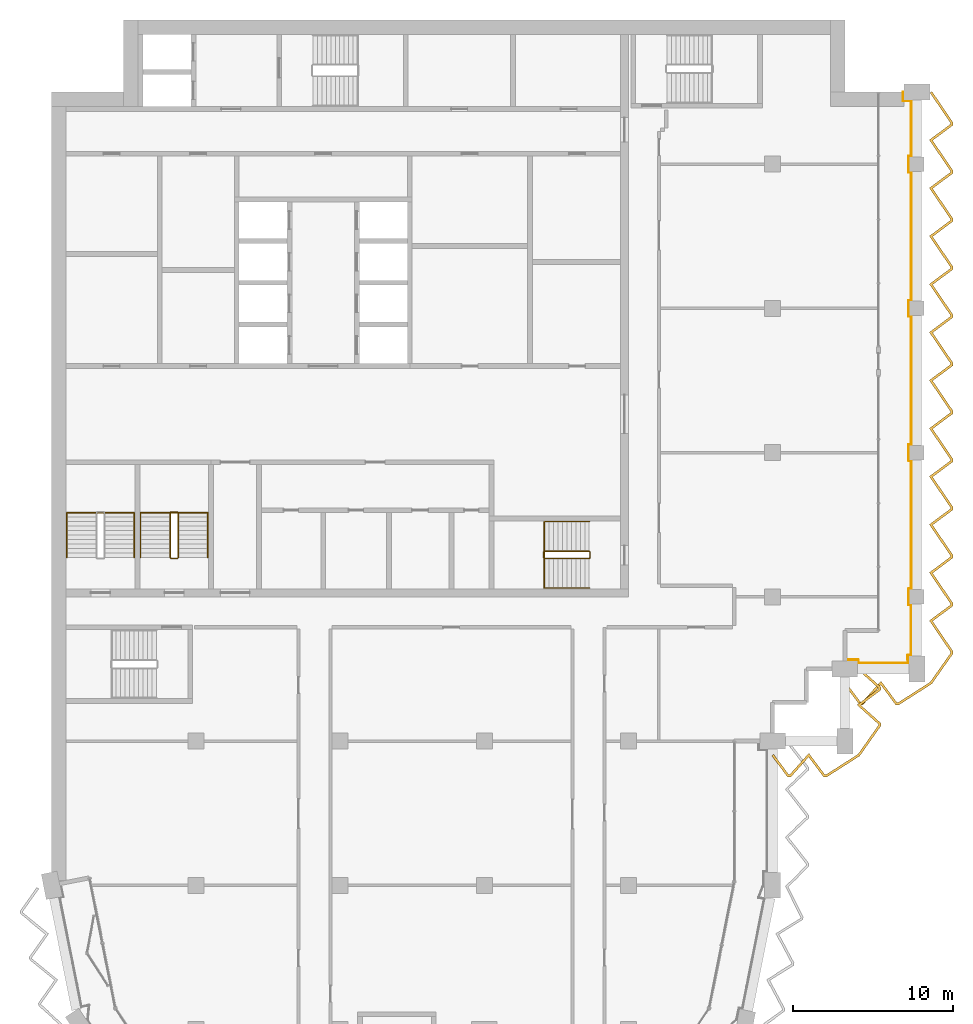
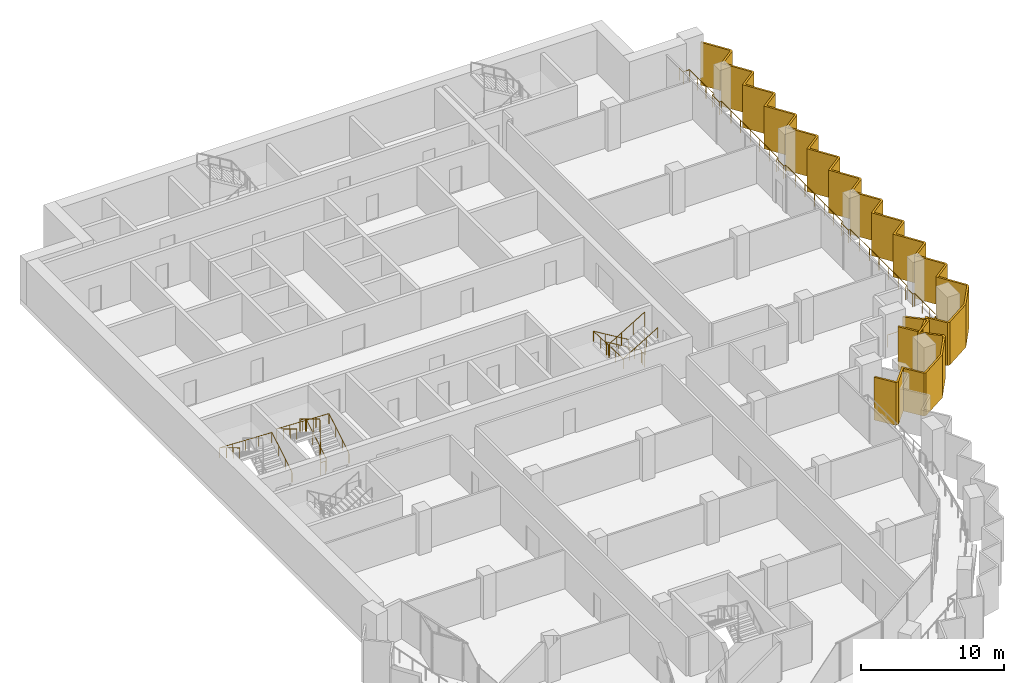
# One storey, part 16 of 17: 6 railings, 2 shading devices.
"""IFC4 building model written with IfcOpenShell, lengths in metres."""

from ifc_helpers import new_model, si_unit, direction, frame, origin, origin_2d, place, context, subcontext, project, spatial, polyline, circle, outline, extrude, material, layer, layer_set, type_object, element, save


model = new_model("IFC4")

# Units and contexts
model_context = context("Model", 3, precision=1e-05, world=origin(), true_north=direction((0.0, 1.0)))
body_context = subcontext(model_context, "Body", "Model", "MODEL_VIEW")
ifc_project = project(units=[si_unit("LENGTHUNIT", "METRE"), si_unit("AREAUNIT", "SQUARE_METRE"), si_unit("VOLUMEUNIT", "CUBIC_METRE"), si_unit("PLANEANGLEUNIT", "RADIAN"), si_unit("MASSUNIT", "GRAM", prefix="KILO")], contexts=[model_context])

# Site, building, storey
site_placement = place(None, origin())
site = spatial("IfcSite", under=ifc_project, at=site_placement, CompositionType="ELEMENT")
building_placement = place(site_placement, origin())
building = spatial("IfcBuilding", under=site, at=building_placement, Name="Hunhe Ridgeline Campus", CompositionType="ELEMENT")
storey_placement = place(building_placement, frame((0.0, 0.0, 265.10009765625)))
storey = spatial("IfcBuildingStorey", under=building, at=storey_placement, Name="L68", CompositionType="ELEMENT", Elevation=265.10009765625)

# Railing
ifc_material_1 = material(Name="Steel Q355", Category="steel")
railing_type_1 = type_object("IfcRailingType", Name="Loggia guard 1100 Steel Q355", PredefinedType="GUARDRAIL", material=ifc_material_1)
railing_1_placement = place(storey_placement, frame((49.5, 59.070068359375, 0.0)))
element("IfcRailing", 1, at=railing_1_placement, inside=storey, type_object=railing_type_1, Name="Loggia guard 2", PredefinedType="GUARDRAIL", context=body_context, shape_type="SweptSolid", body=[
    extrude(circle(Radius=0.02392578125, at=origin_2d()), frame((0.0, 0.0, 1.076171875), z_axis=(1.0, 0.0, 0.0), x_axis=(0.0, 1.0, 0.0)), (0.0, 0.0, 1.0), 0.85009765625),
    extrude(circle(Radius=0.02392578125, at=origin_2d()), frame((0.85009765625, 0.0, 1.076171875), z_axis=(0.0, -1.0, 0.0), x_axis=(1.0, 0.0, 0.0)), (0.0, 0.0, 1.0), 0.219970703125),
    extrude(circle(Radius=0.02392578125, at=origin_2d()), frame((0.85009765625, -0.219970703125, 1.076171875), z_axis=(1.0, 0.0, 0.0), x_axis=(0.0, 1.0, 0.0)), (0.0, 0.0, 1.0), 3.099853515625),
    extrude(circle(Radius=0.02392578125, at=origin_2d()), frame((3.949951171875, -0.219970703125, 1.076171875), z_axis=(0.0, 1.0, 0.0), x_axis=(-1.0, 0.0, 0.0)), (0.0, 0.0, 1.0), 0.52001953125),
    extrude(circle(Radius=0.02392578125, at=origin_2d()), frame((3.949951171875, 0.300048828125, 1.076171875), z_axis=(-0.066572895244, -0.99778156408, 0.0), x_axis=(0.99778156408, -0.066572895244, 0.0)), (0.0, 0.0, 1.0), 0.30078125),
    extrude(circle(Radius=0.02392578125, at=origin_2d()), frame((3.929931640625, 0.0, 1.076171875), z_axis=(0.0, 1.0, 0.0), x_axis=(-1.0, 0.0, 0.0)), (0.0, 0.0, 1.0), 0.280029296875),
    extrude(circle(Radius=0.02392578125, at=origin_2d()), frame((3.929931640625, 0.280029296875, 1.076171875), z_axis=(1.0, 0.0, 0.0), x_axis=(0.0, 1.0, 0.0)), (0.0, 0.0, 1.0), 0.219970703125),
    extrude(circle(Radius=0.02392578125, at=origin_2d()), frame((4.14990234375, 0.280029296875, 1.076171875), z_axis=(0.0, 1.0, 0.0), x_axis=(-1.0, 0.0, 0.0)), (0.0, 0.0, 1.0), 3.14990234375),
    extrude(circle(Radius=0.02392578125, at=origin_2d()), frame((4.14990234375, 3.429931640625, 1.076171875), z_axis=(-1.0, 0.0, 0.0), x_axis=(0.0, -1.0, 0.0)), (0.0, 0.0, 1.0), 0.169921875),
    extrude(circle(Radius=0.02392578125, at=origin_2d()), frame((3.97998046875, 3.429931640625, 1.076171875), z_axis=(0.0, 1.0, 0.0), x_axis=(-1.0, 0.0, 0.0)), (0.0, 0.0, 1.0), 1.0),
    extrude(circle(Radius=0.02392578125, at=origin_2d()), frame((3.97998046875, 4.429931640625, 1.076171875), z_axis=(1.0, 0.0, 0.0), x_axis=(0.0, 1.0, 0.0)), (0.0, 0.0, 1.0), 0.169921875),
    extrude(circle(Radius=0.02392578125, at=origin_2d()), frame((4.14990234375, 4.429931640625, 1.076171875), z_axis=(0.0, 1.0, 0.0), x_axis=(-1.0, 0.0, 0.0)), (0.0, 0.0, 1.0), 8.0),
    extrude(circle(Radius=0.02392578125, at=origin_2d()), frame((4.14990234375, 12.429931640625, 1.076171875), z_axis=(-1.0, 0.0, 0.0), x_axis=(0.0, -1.0, 0.0)), (0.0, 0.0, 1.0), 0.169921875),
    extrude(circle(Radius=0.02392578125, at=origin_2d()), frame((3.97998046875, 12.429931640625, 1.076171875), z_axis=(0.0, 1.0, 0.0), x_axis=(-1.0, 0.0, 0.0)), (0.0, 0.0, 1.0), 1.0),
    extrude(circle(Radius=0.02392578125, at=origin_2d()), frame((3.97998046875, 13.429931640625, 1.076171875), z_axis=(1.0, 0.0, 0.0), x_axis=(0.0, 1.0, 0.0)), (0.0, 0.0, 1.0), 0.169921875),
    extrude(circle(Radius=0.02392578125, at=origin_2d()), frame((4.14990234375, 13.429931640625, 1.076171875), z_axis=(0.0, 1.0, 0.0), x_axis=(-1.0, 0.0, 0.0)), (0.0, 0.0, 1.0), 8.0),
    extrude(circle(Radius=0.02392578125, at=origin_2d()), frame((4.14990234375, 21.429931640625, 1.076171875), z_axis=(-1.0, 0.0, 0.0), x_axis=(0.0, -1.0, 0.0)), (0.0, 0.0, 1.0), 0.169921875),
    extrude(circle(Radius=0.02392578125, at=origin_2d()), frame((3.97998046875, 21.429931640625, 1.076171875), z_axis=(0.0, 1.0, 0.0), x_axis=(-1.0, 0.0, 0.0)), (0.0, 0.0, 1.0), 1.0),
    extrude(circle(Radius=0.02392578125, at=origin_2d()), frame((3.97998046875, 22.429931640625, 1.076171875), z_axis=(1.0, 0.0, 0.0), x_axis=(0.0, 1.0, 0.0)), (0.0, 0.0, 1.0), 0.169921875),
    extrude(circle(Radius=0.02392578125, at=origin_2d()), frame((4.14990234375, 22.429931640625, 1.076171875), z_axis=(0.0, 1.0, 0.0), x_axis=(-1.0, 0.0, 0.0)), (0.0, 0.0, 1.0), 8.0),
    extrude(circle(Radius=0.02392578125, at=origin_2d()), frame((4.14990234375, 30.429931640625, 1.076171875), z_axis=(-1.0, 0.0, 0.0), x_axis=(0.0, -1.0, 0.0)), (0.0, 0.0, 1.0), 0.169921875),
    extrude(circle(Radius=0.02392578125, at=origin_2d()), frame((3.97998046875, 30.429931640625, 1.076171875), z_axis=(0.0, 1.0, 0.0), x_axis=(-1.0, 0.0, 0.0)), (0.0, 0.0, 1.0), 1.0),
    extrude(circle(Radius=0.02392578125, at=origin_2d()), frame((3.97998046875, 31.429931640625, 1.076171875), z_axis=(1.0, 0.0, 0.0), x_axis=(0.0, 1.0, 0.0)), (0.0, 0.0, 1.0), 0.169921875),
    extrude(circle(Radius=0.02392578125, at=origin_2d()), frame((4.14990234375, 31.429931640625, 1.076171875), z_axis=(0.0, 1.0, 0.0), x_axis=(-1.0, 0.0, 0.0)), (0.0, 0.0, 1.0), 3.449951171875),
    extrude(circle(Radius=0.02392578125, at=origin_2d()), frame((4.14990234375, 34.8798828125, 1.076171875), z_axis=(-1.0, 0.0, 0.0), x_axis=(0.0, -1.0, 0.0)), (0.0, 0.0, 1.0), 0.52001953125),
    extrude(circle(Radius=0.02392578125, at=origin_2d()), frame((3.6298828125, 34.8798828125, 1.076171875), z_axis=(0.0, 1.0, 0.0), x_axis=(-1.0, 0.0, 0.0)), (0.0, 0.0, 1.0), 0.550048828125),
    extrude(circle(Radius=0.02099609375, at=origin_2d()), origin(), (0.0, 0.0, 1.0), 1.052001953125),
    extrude(circle(Radius=0.02099609375, at=origin_2d()), frame((0.85009765625, 0.0, 0.0)), (0.0, 0.0, 1.0), 1.052001953125),
    extrude(circle(Radius=0.02099609375, at=origin_2d()), frame((0.85009765625, -0.219970703125, 0.0)), (0.0, 0.0, 1.0), 1.052001953125),
    extrude(circle(Radius=0.02099609375, at=origin_2d()), frame((1.88330078125, -0.219970703125, 0.0)), (0.0, 0.0, 1.0), 1.052001953125),
    extrude(circle(Radius=0.02099609375, at=origin_2d()), frame((2.916748046875, -0.219970703125, 0.0)), (0.0, 0.0, 1.0), 1.052001953125),
    extrude(circle(Radius=0.02099609375, at=origin_2d()), frame((3.949951171875, -0.219970703125, 0.0)), (0.0, 0.0, 1.0), 1.052001953125),
    extrude(circle(Radius=0.02099609375, at=origin_2d()), frame((3.949951171875, 0.300048828125, 0.0)), (0.0, 0.0, 1.0), 1.052001953125),
    extrude(circle(Radius=0.02099609375, at=origin_2d()), frame((3.929931640625, 0.0, 0.0)), (0.0, 0.0, 1.0), 1.052001953125),
    extrude(circle(Radius=0.02099609375, at=origin_2d()), frame((3.929931640625, 0.280029296875, 0.0)), (0.0, 0.0, 1.0), 1.052001953125),
    extrude(circle(Radius=0.02099609375, at=origin_2d()), frame((4.14990234375, 0.280029296875, 0.0)), (0.0, 0.0, 1.0), 1.052001953125),
    extrude(circle(Radius=0.02099609375, at=origin_2d()), frame((4.14990234375, 1.330078125, 0.0)), (0.0, 0.0, 1.0), 1.052001953125),
    extrude(circle(Radius=0.02099609375, at=origin_2d()), frame((4.14990234375, 2.3798828125, 0.0)), (0.0, 0.0, 1.0), 1.052001953125),
    extrude(circle(Radius=0.02099609375, at=origin_2d()), frame((4.14990234375, 3.429931640625, 0.0)), (0.0, 0.0, 1.0), 1.052001953125),
    extrude(circle(Radius=0.02099609375, at=origin_2d()), frame((3.97998046875, 3.429931640625, 0.0)), (0.0, 0.0, 1.0), 1.052001953125),
    extrude(circle(Radius=0.02099609375, at=origin_2d()), frame((3.97998046875, 4.429931640625, 0.0)), (0.0, 0.0, 1.0), 1.052001953125),
    extrude(circle(Radius=0.02099609375, at=origin_2d()), frame((4.14990234375, 4.429931640625, 0.0)), (0.0, 0.0, 1.0), 1.052001953125),
    extrude(circle(Radius=0.02099609375, at=origin_2d()), frame((4.14990234375, 5.76318359375, 0.0)), (0.0, 0.0, 1.0), 1.052001953125),
    extrude(circle(Radius=0.02099609375, at=origin_2d()), frame((4.14990234375, 7.0966796875, 0.0)), (0.0, 0.0, 1.0), 1.052001953125),
    extrude(circle(Radius=0.02099609375, at=origin_2d()), frame((4.14990234375, 8.429931640625, 0.0)), (0.0, 0.0, 1.0), 1.052001953125),
    extrude(circle(Radius=0.02099609375, at=origin_2d()), frame((4.14990234375, 9.76318359375, 0.0)), (0.0, 0.0, 1.0), 1.052001953125),
    extrude(circle(Radius=0.02099609375, at=origin_2d()), frame((4.14990234375, 11.0966796875, 0.0)), (0.0, 0.0, 1.0), 1.052001953125),
    extrude(circle(Radius=0.02099609375, at=origin_2d()), frame((4.14990234375, 12.429931640625, 0.0)), (0.0, 0.0, 1.0), 1.052001953125),
    extrude(circle(Radius=0.02099609375, at=origin_2d()), frame((3.97998046875, 12.429931640625, 0.0)), (0.0, 0.0, 1.0), 1.052001953125),
    extrude(circle(Radius=0.02099609375, at=origin_2d()), frame((3.97998046875, 13.429931640625, 0.0)), (0.0, 0.0, 1.0), 1.052001953125),
    extrude(circle(Radius=0.02099609375, at=origin_2d()), frame((4.14990234375, 13.429931640625, 0.0)), (0.0, 0.0, 1.0), 1.052001953125),
    extrude(circle(Radius=0.02099609375, at=origin_2d()), frame((4.14990234375, 14.76318359375, 0.0)), (0.0, 0.0, 1.0), 1.052001953125),
    extrude(circle(Radius=0.02099609375, at=origin_2d()), frame((4.14990234375, 16.0966796875, 0.0)), (0.0, 0.0, 1.0), 1.052001953125),
    extrude(circle(Radius=0.02099609375, at=origin_2d()), frame((4.14990234375, 17.429931640625, 0.0)), (0.0, 0.0, 1.0), 1.052001953125),
    extrude(circle(Radius=0.02099609375, at=origin_2d()), frame((4.14990234375, 18.76318359375, 0.0)), (0.0, 0.0, 1.0), 1.052001953125),
    extrude(circle(Radius=0.02099609375, at=origin_2d()), frame((4.14990234375, 20.0966796875, 0.0)), (0.0, 0.0, 1.0), 1.052001953125),
    extrude(circle(Radius=0.02099609375, at=origin_2d()), frame((4.14990234375, 21.429931640625, 0.0)), (0.0, 0.0, 1.0), 1.052001953125),
    extrude(circle(Radius=0.02099609375, at=origin_2d()), frame((3.97998046875, 21.429931640625, 0.0)), (0.0, 0.0, 1.0), 1.052001953125),
    extrude(circle(Radius=0.02099609375, at=origin_2d()), frame((3.97998046875, 22.429931640625, 0.0)), (0.0, 0.0, 1.0), 1.052001953125),
    extrude(circle(Radius=0.02099609375, at=origin_2d()), frame((4.14990234375, 22.429931640625, 0.0)), (0.0, 0.0, 1.0), 1.052001953125),
    extrude(circle(Radius=0.02099609375, at=origin_2d()), frame((4.14990234375, 23.76318359375, 0.0)), (0.0, 0.0, 1.0), 1.052001953125),
    extrude(circle(Radius=0.02099609375, at=origin_2d()), frame((4.14990234375, 25.0966796875, 0.0)), (0.0, 0.0, 1.0), 1.052001953125),
    extrude(circle(Radius=0.02099609375, at=origin_2d()), frame((4.14990234375, 26.429931640625, 0.0)), (0.0, 0.0, 1.0), 1.052001953125),
    extrude(circle(Radius=0.02099609375, at=origin_2d()), frame((4.14990234375, 27.76318359375, 0.0)), (0.0, 0.0, 1.0), 1.052001953125),
    extrude(circle(Radius=0.02099609375, at=origin_2d()), frame((4.14990234375, 29.0966796875, 0.0)), (0.0, 0.0, 1.0), 1.052001953125),
    extrude(circle(Radius=0.02099609375, at=origin_2d()), frame((4.14990234375, 30.429931640625, 0.0)), (0.0, 0.0, 1.0), 1.052001953125),
    extrude(circle(Radius=0.02099609375, at=origin_2d()), frame((3.97998046875, 30.429931640625, 0.0)), (0.0, 0.0, 1.0), 1.052001953125),
    extrude(circle(Radius=0.02099609375, at=origin_2d()), frame((3.97998046875, 31.429931640625, 0.0)), (0.0, 0.0, 1.0), 1.052001953125),
    extrude(circle(Radius=0.02099609375, at=origin_2d()), frame((4.14990234375, 31.429931640625, 0.0)), (0.0, 0.0, 1.0), 1.052001953125),
    extrude(circle(Radius=0.02099609375, at=origin_2d()), frame((4.14990234375, 32.579833984375, 0.0)), (0.0, 0.0, 1.0), 1.052001953125),
    extrude(circle(Radius=0.02099609375, at=origin_2d()), frame((4.14990234375, 33.72998046875, 0.0)), (0.0, 0.0, 1.0), 1.052001953125),
    extrude(circle(Radius=0.02099609375, at=origin_2d()), frame((4.14990234375, 34.8798828125, 0.0)), (0.0, 0.0, 1.0), 1.052001953125),
    extrude(circle(Radius=0.02099609375, at=origin_2d()), frame((3.6298828125, 34.8798828125, 0.0)), (0.0, 0.0, 1.0), 1.052001953125),
    extrude(circle(Radius=0.02099609375, at=origin_2d()), frame((3.6298828125, 35.429931640625, 0.0)), (0.0, 0.0, 1.0), 1.052001953125),
])

# Shading devices
ifc_material_2 = material(Name="Concrete C50", Category="concrete")
ifc_layer = layer(ifc_material_2, 0.14990234375)
ifc_layer_set = layer_set([ifc_layer], Name="Sawtooth concrete fin 150 Concrete C50")
shading_device_type = type_object("IfcShadingDeviceType", Name="Sawtooth concrete fin 150 Concrete C50", PredefinedType="USERDEFINED", material=ifc_layer_set)
shading_device_1_placement = place(storey_placement, frame((0.0, 0.0, -0.9501953125)))
element("IfcShadingDevice", 2, at=shading_device_1_placement, inside=storey, type_object=shading_device_type, Name="Concrete fin screen 2", ObjectType="FIN", PredefinedType="USERDEFINED", context=body_context, shape_type="SweptSolid", body=[
    extrude(outline(polyline([(45.06005859375, 53.169677734375), (44.93994140625, 53.080322265625), (45.930419921875, 51.75), (46.12158203125, 51.75), (47.24462890625, 53.006591796875), (48.180419921875, 51.75), (48.360107421875, 51.75), (50.427734375, 53.06982421875), (51.75, 54.9443359375), (51.75, 55.12158203125), (50.493408203125, 56.24462890625), (51.75, 57.180419921875), (51.75, 57.37158203125), (50.425048828125, 58.555908203125), (50.324951171875, 58.444091796875), (51.60009765625, 57.304443359375), (51.60009765625, 57.255859375), (50.256591796875, 56.25537109375), (51.60009765625, 55.054443359375), (51.60009765625, 54.991943359375), (50.322265625, 53.18017578125), (48.316162109375, 51.89990234375), (48.255859375, 51.89990234375), (47.25537109375, 53.243408203125), (46.054443359375, 51.89990234375), (46.005859375, 51.89990234375), (45.06005859375, 53.169677734375)])), origin(), (0.0, 0.0, 1.0), 3.650146484375),
])
shading_device_2_placement = place(storey_placement, frame((0.0, 0.0, -0.9501953125)))
element("IfcShadingDevice", 3, at=shading_device_2_placement, inside=storey, type_object=shading_device_type, Name="Concrete fin screen 3", ObjectType="FIN", PredefinedType="USERDEFINED", context=body_context, shape_type="SweptSolid", body=[
    extrude(outline(polyline([(49.56005859375, 57.669677734375), (49.43994140625, 57.580322265625), (50.430419921875, 56.25), (50.62158203125, 56.25), (51.74462890625, 57.506591796875), (52.680419921875, 56.25), (52.860107421875, 56.25), (54.927734375, 57.56982421875), (56.25, 59.4443359375), (56.25, 59.611083984375), (54.9775390625, 61.482666015625), (56.25, 62.430419921875), (56.25, 62.611083984375), (54.9775390625, 64.482666015625), (56.25, 65.430419921875), (56.25, 65.611083984375), (54.9775390625, 67.482666015625), (56.25, 68.430419921875), (56.25, 68.611083984375), (54.9775390625, 70.482666015625), (56.25, 71.430419921875), (56.25, 71.611083984375), (54.9775390625, 73.482666015625), (56.25, 74.430419921875), (56.25, 74.611083984375), (54.9775390625, 76.482666015625), (56.25, 77.430419921875), (56.25, 77.611083984375), (54.9775390625, 79.482666015625), (56.25, 80.430419921875), (56.25, 80.611083984375), (54.9775390625, 82.482666015625), (56.25, 83.430419921875), (56.25, 83.611083984375), (54.9775390625, 85.482666015625), (56.25, 86.430419921875), (56.25, 86.611083984375), (54.9775390625, 88.482666015625), (56.25, 89.430419921875), (56.25, 89.611083984375), (54.9775390625, 91.482666015625), (56.25, 92.430419921875), (56.25, 92.611083984375), (54.93701171875, 94.542236328125), (54.81298828125, 94.457763671875), (56.10009765625, 92.56494140625), (56.10009765625, 92.505859375), (54.7724609375, 91.517333984375), (56.10009765625, 89.56494140625), (56.10009765625, 89.505859375), (54.7724609375, 88.517333984375), (56.10009765625, 86.56494140625), (56.10009765625, 86.505859375), (54.7724609375, 85.517333984375), (56.10009765625, 83.56494140625), (56.10009765625, 83.505859375), (54.7724609375, 82.517333984375), (56.10009765625, 80.56494140625), (56.10009765625, 80.505859375), (54.7724609375, 79.517333984375), (56.10009765625, 77.56494140625), (56.10009765625, 77.505859375), (54.7724609375, 76.517333984375), (56.10009765625, 74.56494140625), (56.10009765625, 74.505859375), (54.7724609375, 73.517333984375), (56.10009765625, 71.56494140625), (56.10009765625, 71.505859375), (54.7724609375, 70.517333984375), (56.10009765625, 68.56494140625), (56.10009765625, 68.505859375), (54.7724609375, 67.517333984375), (56.10009765625, 65.56494140625), (56.10009765625, 65.505859375), (54.7724609375, 64.517333984375), (56.10009765625, 62.56494140625), (56.10009765625, 62.505859375), (54.7724609375, 61.517333984375), (56.10009765625, 59.56494140625), (56.10009765625, 59.491943359375), (54.822265625, 57.68017578125), (52.816162109375, 56.39990234375), (52.755859375, 56.39990234375), (51.75537109375, 57.743408203125), (50.554443359375, 56.39990234375), (50.505859375, 56.39990234375), (49.56005859375, 57.669677734375)])), origin(), (0.0, 0.0, 1.0), 3.650146484375),
])

# Railings
ifc_material_3 = material(Name="Stainless steel balustrade", Category="steel")
railing_type_2 = type_object("IfcRailingType", Name="Stair guard 1100 stainless", PredefinedType="GUARDRAIL", material=ifc_material_3)
railing_2_placement = place(storey_placement, frame((33.550048828125, 65.85009765625, 0.16796875)))
element("IfcRailing", 4, at=railing_2_placement, inside=storey, type_object=railing_type_2, Name="L68 stair S2 guard", PredefinedType="GUARDRAIL", context=body_context, shape_type="SweptSolid", body=[
    extrude(circle(Radius=0.02392578125, at=origin_2d()), frame((0.0, 0.0, 1.076171875), z_axis=(-0.857242210791, 0.0, 0.514913383045), x_axis=(0.0, -1.0, 0.0)), (0.0, 0.0, 1.0), 3.266357421875),
    extrude(circle(Radius=0.02392578125, at=origin_2d()), frame((-2.800048828125, 0.0, 2.7578125), z_axis=(-0.707106781187, -0.707106781187, 0.0), x_axis=(0.707106781187, -0.707106781187, 0.0)), (0.0, 0.0, 1.0), 0.07080078125),
    extrude(circle(Radius=0.02392578125, at=origin_2d()), frame((-2.85009765625, -0.050048828125, 2.7578125), z_axis=(0.0, -1.0, 0.0), x_axis=(1.0, 0.0, 0.0)), (0.0, 0.0, 1.0), 0.35009765625),
    extrude(circle(Radius=0.02392578125, at=origin_2d()), frame((-2.85009765625, -0.400146484375, 2.7578125), z_axis=(0.274243871929, -0.274243871929, 0.92172696468), x_axis=(0.707106781187, 0.707106781187, 0.0)), (0.0, 0.0, 1.0), 0.1826171875),
    extrude(circle(Radius=0.02392578125, at=origin_2d()), frame((-2.800048828125, -0.4501953125, 2.92626953125), z_axis=(0.857242210791, 0.0, 0.514913383045), x_axis=(0.0, 1.0, 0.0)), (0.0, 0.0, 1.0), 3.266357421875),
    extrude(circle(Radius=0.02392578125, at=origin_2d()), frame((0.0, -0.4501953125, 4.60791015625), z_axis=(0.013524414389, 0.013524414389, -0.999817073484), x_axis=(-0.707106781187, 0.707106781187, 0.0)), (0.0, 0.0, 1.0), 3.70068359375),
    extrude(circle(Radius=0.02392578125, at=origin_2d()), frame((0.050048828125, -0.400146484375, 0.908203125), z_axis=(0.0, 1.0, 0.0), x_axis=(-1.0, 0.0, 0.0)), (0.0, 0.0, 1.0), 0.35009765625),
    extrude(circle(Radius=0.02099609375, at=origin_2d()), origin(), (0.0, 0.0, 1.0), 1.052001953125),
    extrude(circle(Radius=0.02099609375, at=origin_2d()), frame((-0.933349609375, 0.0, 0.560546875)), (0.0, 0.0, 1.0), 1.052001953125),
    extrude(circle(Radius=0.02099609375, at=origin_2d()), frame((-1.86669921875, 0.0, 1.121337890625)), (0.0, 0.0, 1.0), 1.052001953125),
    extrude(circle(Radius=0.02099609375, at=origin_2d()), frame((-2.800048828125, 0.0, 1.681884765625)), (0.0, 0.0, 1.0), 1.052001953125),
    extrude(circle(Radius=0.02099609375, at=origin_2d()), frame((-2.85009765625, -0.050048828125, 1.681884765625)), (0.0, 0.0, 1.0), 1.052001953125),
    extrude(circle(Radius=0.02099609375, at=origin_2d()), frame((-2.85009765625, -0.400146484375, 1.681884765625)), (0.0, 0.0, 1.0), 1.052001953125),
    extrude(circle(Radius=0.02099609375, at=origin_2d()), frame((-2.800048828125, -0.4501953125, 1.85009765625)), (0.0, 0.0, 1.0), 1.052001953125),
    extrude(circle(Radius=0.02099609375, at=origin_2d()), frame((-1.86669921875, -0.4501953125, 2.41064453125)), (0.0, 0.0, 1.0), 1.052001953125),
    extrude(circle(Radius=0.02099609375, at=origin_2d()), frame((-0.933349609375, -0.4501953125, 2.971435546875)), (0.0, 0.0, 1.0), 1.052001953125),
    extrude(circle(Radius=0.02099609375, at=origin_2d()), frame((0.0, -0.4501953125, 3.531982421875)), (0.0, 0.0, 1.0), 1.052001953125),
    extrude(circle(Radius=0.02099609375, at=origin_2d()), frame((0.012451171875, -0.437744140625, 2.60693359375)), (0.0, 0.0, 1.0), 1.052001953125),
    extrude(circle(Radius=0.02099609375, at=origin_2d()), frame((0.02490234375, -0.42529296875, 1.68212890625)), (0.0, 0.0, 1.0), 1.052001953125),
    extrude(circle(Radius=0.02099609375, at=origin_2d()), frame((0.03759765625, -0.41259765625, 0.757080078125)), (0.0, 0.0, 1.0), 1.052001953125),
    extrude(circle(Radius=0.02099609375, at=origin_2d()), frame((0.050048828125, -0.400146484375, -0.16796875)), (0.0, 0.0, 1.0), 1.052001953125),
    extrude(circle(Radius=0.02099609375, at=origin_2d()), frame((0.050048828125, -0.050048828125, -0.16796875)), (0.0, 0.0, 1.0), 1.052001953125),
])
railing_3_placement = place(storey_placement, frame((7.89990234375, 65.449951171875, 0.16796875)))
element("IfcRailing", 5, at=railing_3_placement, inside=storey, type_object=railing_type_2, Name="L68 stair S4 guard", PredefinedType="GUARDRAIL", context=body_context, shape_type="SweptSolid", body=[
    extrude(circle(Radius=0.02392578125, at=origin_2d()), frame((0.0, 0.0, 1.076171875), z_axis=(0.0, 0.857242210791, 0.514913383045), x_axis=(-1.0, 0.0, 0.0)), (0.0, 0.0, 1.0), 3.266357421875),
    extrude(circle(Radius=0.02392578125, at=origin_2d()), frame((0.0, 2.800048828125, 2.7578125), z_axis=(-0.705375805398, 0.708833529934, 0.0), x_axis=(-0.708833529934, -0.705375805398, 0.0)), (0.0, 0.0, 1.0), 0.070556640625),
    extrude(circle(Radius=0.02392578125, at=origin_2d()), frame((-0.0498046875, 2.85009765625, 2.7578125), z_axis=(-1.0, 0.0, 0.0), x_axis=(0.0, -1.0, 0.0)), (0.0, 0.0, 1.0), 0.400146484375),
    extrude(circle(Radius=0.02392578125, at=origin_2d()), frame((-0.449951171875, 2.85009765625, 2.7578125), z_axis=(-0.274243871929, -0.274243871929, 0.92172696468), x_axis=(0.707106781187, -0.707106781187, 0.0)), (0.0, 0.0, 1.0), 0.1826171875),
    extrude(circle(Radius=0.02392578125, at=origin_2d()), frame((-0.5, 2.800048828125, 2.92626953125), z_axis=(0.0, -0.857242210791, 0.514913383045), x_axis=(1.0, 0.0, 0.0)), (0.0, 0.0, 1.0), 3.266357421875),
    extrude(circle(Radius=0.02392578125, at=origin_2d()), frame((-0.5, 0.0, 4.60791015625), z_axis=(0.013524414389, -0.013524414389, -0.999817073484), x_axis=(0.707106781187, 0.707106781187, 0.0)), (0.0, 0.0, 1.0), 3.70068359375),
    extrude(circle(Radius=0.02392578125, at=origin_2d()), frame((-0.449951171875, -0.050048828125, 0.908203125), z_axis=(1.0, 0.0, 0.0), x_axis=(0.0, 1.0, 0.0)), (0.0, 0.0, 1.0), 0.400146484375),
    extrude(circle(Radius=0.02099609375, at=origin_2d()), origin(), (0.0, 0.0, 1.0), 1.052001953125),
    extrude(circle(Radius=0.02099609375, at=origin_2d()), frame((0.0, 0.933349609375, 0.560546875)), (0.0, 0.0, 1.0), 1.052001953125),
    extrude(circle(Radius=0.02099609375, at=origin_2d()), frame((0.0, 1.86669921875, 1.121337890625)), (0.0, 0.0, 1.0), 1.052001953125),
    extrude(circle(Radius=0.02099609375, at=origin_2d()), frame((0.0, 2.800048828125, 1.681884765625)), (0.0, 0.0, 1.0), 1.052001953125),
    extrude(circle(Radius=0.02099609375, at=origin_2d()), frame((-0.0498046875, 2.85009765625, 1.681884765625)), (0.0, 0.0, 1.0), 1.052001953125),
    extrude(circle(Radius=0.02099609375, at=origin_2d()), frame((-0.449951171875, 2.85009765625, 1.681884765625)), (0.0, 0.0, 1.0), 1.052001953125),
    extrude(circle(Radius=0.02099609375, at=origin_2d()), frame((-0.5, 2.800048828125, 1.85009765625)), (0.0, 0.0, 1.0), 1.052001953125),
    extrude(circle(Radius=0.02099609375, at=origin_2d()), frame((-0.5, 1.86669921875, 2.41064453125)), (0.0, 0.0, 1.0), 1.052001953125),
    extrude(circle(Radius=0.02099609375, at=origin_2d()), frame((-0.5, 0.933349609375, 2.971435546875)), (0.0, 0.0, 1.0), 1.052001953125),
    extrude(circle(Radius=0.02099609375, at=origin_2d()), frame((-0.5, 0.0, 3.531982421875)), (0.0, 0.0, 1.0), 1.052001953125),
    extrude(circle(Radius=0.02099609375, at=origin_2d()), frame((-0.487548828125, -0.012451171875, 2.60693359375)), (0.0, 0.0, 1.0), 1.052001953125),
    extrude(circle(Radius=0.02099609375, at=origin_2d()), frame((-0.47509765625, -0.02490234375, 1.68212890625)), (0.0, 0.0, 1.0), 1.052001953125),
    extrude(circle(Radius=0.02099609375, at=origin_2d()), frame((-0.46240234375, -0.03759765625, 0.757080078125)), (0.0, 0.0, 1.0), 1.052001953125),
    extrude(circle(Radius=0.02099609375, at=origin_2d()), frame((-0.449951171875, -0.050048828125, -0.16796875)), (0.0, 0.0, 1.0), 1.052001953125),
    extrude(circle(Radius=0.02099609375, at=origin_2d()), frame((-0.0498046875, -0.050048828125, -0.16796875)), (0.0, 0.0, 1.0), 1.052001953125),
])
ifc_material_4 = material(Name="Stainless steel handrail", Category="steel")
railing_type_3 = type_object("IfcRailingType", Name="Stair handrail 900 stainless", PredefinedType="HANDRAIL", material=ifc_material_4)
railing_4_placement = place(storey_placement, frame((33.550048828125, 67.699951171875, 0.16796875)))
element("IfcRailing", 6, at=railing_4_placement, inside=storey, type_object=railing_type_3, Name="L68 stair S2 handrail", PredefinedType="HANDRAIL", context=body_context, shape_type="SweptSolid", body=[
    extrude(circle(Radius=0.02392578125, at=origin_2d()), frame((0.0, 0.0, 0.8759765625), z_axis=(-0.857242210791, 0.0, 0.514913383045), x_axis=(0.0, -1.0, 0.0)), (0.0, 0.0, 1.0), 3.266357421875),
    extrude(circle(Radius=0.02392578125, at=origin_2d()), frame((-2.800048828125, 0.0, 2.5576171875), z_axis=(0.0, -0.99917950104, 0.040500922239), x_axis=(1.0, 0.0, 0.0)), (0.0, 0.0, 1.0), 4.1533203125),
    extrude(circle(Radius=0.02392578125, at=origin_2d()), frame((-2.800048828125, -4.14990234375, 2.72607421875), z_axis=(0.857242210791, 0.0, 0.514913383045), x_axis=(0.0, 1.0, 0.0)), (0.0, 0.0, 1.0), 3.266357421875),
    extrude(circle(Radius=0.02099609375, at=origin_2d()), origin(), (0.0, 0.0, 1.0), 0.851806640625),
    extrude(circle(Radius=0.02099609375, at=origin_2d()), frame((-0.933349609375, 0.0, 0.560546875)), (0.0, 0.0, 1.0), 0.851806640625),
    extrude(circle(Radius=0.02099609375, at=origin_2d()), frame((-1.86669921875, 0.0, 1.121337890625)), (0.0, 0.0, 1.0), 0.851806640625),
    extrude(circle(Radius=0.02099609375, at=origin_2d()), frame((-2.800048828125, 0.0, 1.681884765625)), (0.0, 0.0, 1.0), 0.851806640625),
    extrude(circle(Radius=0.02099609375, at=origin_2d()), frame((-2.800048828125, -1.03759765625, 1.723876953125)), (0.0, 0.0, 1.0), 0.851806640625),
    extrude(circle(Radius=0.02099609375, at=origin_2d()), frame((-2.800048828125, -2.074951171875, 1.76611328125)), (0.0, 0.0, 1.0), 0.851806640625),
    extrude(circle(Radius=0.02099609375, at=origin_2d()), frame((-2.800048828125, -3.1123046875, 1.80810546875)), (0.0, 0.0, 1.0), 0.851806640625),
    extrude(circle(Radius=0.02099609375, at=origin_2d()), frame((-2.800048828125, -4.14990234375, 1.85009765625)), (0.0, 0.0, 1.0), 0.851806640625),
    extrude(circle(Radius=0.02099609375, at=origin_2d()), frame((-1.86669921875, -4.14990234375, 2.41064453125)), (0.0, 0.0, 1.0), 0.851806640625),
    extrude(circle(Radius=0.02099609375, at=origin_2d()), frame((-0.933349609375, -4.14990234375, 2.971435546875)), (0.0, 0.0, 1.0), 0.851806640625),
    extrude(circle(Radius=0.02099609375, at=origin_2d()), frame((0.0, -4.14990234375, 3.531982421875)), (0.0, 0.0, 1.0), 0.851806640625),
])
railing_5_placement = place(storey_placement, frame((5.14990234375, 65.449951171875, 0.16796875)))
element("IfcRailing", 7, at=railing_5_placement, inside=storey, type_object=railing_type_3, Name="L68 stair S3 handrail", PredefinedType="HANDRAIL", context=body_context, shape_type="SweptSolid", body=[
    extrude(circle(Radius=0.02392578125, at=origin_2d()), frame((0.0, 0.0, 0.8759765625), z_axis=(0.0, 0.857242210791, 0.514913383045), x_axis=(-1.0, 0.0, 0.0)), (0.0, 0.0, 1.0), 3.266357421875),
    extrude(circle(Radius=0.02392578125, at=origin_2d()), frame((0.0, 2.800048828125, 2.5576171875), z_axis=(-0.999198916169, 0.0, 0.040019069537), x_axis=(0.0, -1.0, 0.0)), (0.0, 0.0, 1.0), 4.203369140625),
    extrude(circle(Radius=0.02392578125, at=origin_2d()), frame((-4.199951171875, 2.800048828125, 2.72607421875), z_axis=(0.0, -0.857242210791, 0.514913383045), x_axis=(1.0, 0.0, 0.0)), (0.0, 0.0, 1.0), 3.266357421875),
    extrude(circle(Radius=0.02099609375, at=origin_2d()), origin(), (0.0, 0.0, 1.0), 0.851806640625),
    extrude(circle(Radius=0.02099609375, at=origin_2d()), frame((0.0, 0.933349609375, 0.560546875)), (0.0, 0.0, 1.0), 0.851806640625),
    extrude(circle(Radius=0.02099609375, at=origin_2d()), frame((0.0, 1.86669921875, 1.121337890625)), (0.0, 0.0, 1.0), 0.851806640625),
    extrude(circle(Radius=0.02099609375, at=origin_2d()), frame((0.0, 2.800048828125, 1.681884765625)), (0.0, 0.0, 1.0), 0.851806640625),
    extrude(circle(Radius=0.02099609375, at=origin_2d()), frame((-1.050048828125, 2.800048828125, 1.723876953125)), (0.0, 0.0, 1.0), 0.851806640625),
    extrude(circle(Radius=0.02099609375, at=origin_2d()), frame((-2.10009765625, 2.800048828125, 1.76611328125)), (0.0, 0.0, 1.0), 0.851806640625),
    extrude(circle(Radius=0.02099609375, at=origin_2d()), frame((-3.14990234375, 2.800048828125, 1.80810546875)), (0.0, 0.0, 1.0), 0.851806640625),
    extrude(circle(Radius=0.02099609375, at=origin_2d()), frame((-4.199951171875, 2.800048828125, 1.85009765625)), (0.0, 0.0, 1.0), 0.851806640625),
    extrude(circle(Radius=0.02099609375, at=origin_2d()), frame((-4.199951171875, 1.86669921875, 2.41064453125)), (0.0, 0.0, 1.0), 0.851806640625),
    extrude(circle(Radius=0.02099609375, at=origin_2d()), frame((-4.199951171875, 0.933349609375, 2.971435546875)), (0.0, 0.0, 1.0), 0.851806640625),
    extrude(circle(Radius=0.02099609375, at=origin_2d()), frame((-4.199951171875, 0.0, 3.531982421875)), (0.0, 0.0, 1.0), 0.851806640625),
])
railing_6_placement = place(storey_placement, frame((9.75, 65.449951171875, 0.16796875)))
element("IfcRailing", 8, at=railing_6_placement, inside=storey, type_object=railing_type_3, Name="L68 stair S4 handrail", PredefinedType="HANDRAIL", context=body_context, shape_type="SweptSolid", body=[
    extrude(circle(Radius=0.02392578125, at=origin_2d()), frame((0.0, 0.0, 0.8759765625), z_axis=(0.0, 0.857242210791, 0.514913383045), x_axis=(-1.0, 0.0, 0.0)), (0.0, 0.0, 1.0), 3.266357421875),
    extrude(circle(Radius=0.02392578125, at=origin_2d()), frame((0.0, 2.800048828125, 2.5576171875), z_axis=(-0.999198916169, 0.0, 0.040019069537), x_axis=(0.0, -1.0, 0.0)), (0.0, 0.0, 1.0), 4.203369140625),
    extrude(circle(Radius=0.02392578125, at=origin_2d()), frame((-4.199951171875, 2.800048828125, 2.72607421875), z_axis=(0.0, -0.857242210791, 0.514913383045), x_axis=(1.0, 0.0, 0.0)), (0.0, 0.0, 1.0), 3.266357421875),
    extrude(circle(Radius=0.02099609375, at=origin_2d()), origin(), (0.0, 0.0, 1.0), 0.851806640625),
    extrude(circle(Radius=0.02099609375, at=origin_2d()), frame((0.0, 0.933349609375, 0.560546875)), (0.0, 0.0, 1.0), 0.851806640625),
    extrude(circle(Radius=0.02099609375, at=origin_2d()), frame((0.0, 1.86669921875, 1.121337890625)), (0.0, 0.0, 1.0), 0.851806640625),
    extrude(circle(Radius=0.02099609375, at=origin_2d()), frame((0.0, 2.800048828125, 1.681884765625)), (0.0, 0.0, 1.0), 0.851806640625),
    extrude(circle(Radius=0.02099609375, at=origin_2d()), frame((-1.050048828125, 2.800048828125, 1.723876953125)), (0.0, 0.0, 1.0), 0.851806640625),
    extrude(circle(Radius=0.02099609375, at=origin_2d()), frame((-2.10009765625, 2.800048828125, 1.76611328125)), (0.0, 0.0, 1.0), 0.851806640625),
    extrude(circle(Radius=0.02099609375, at=origin_2d()), frame((-3.14990234375, 2.800048828125, 1.80810546875)), (0.0, 0.0, 1.0), 0.851806640625),
    extrude(circle(Radius=0.02099609375, at=origin_2d()), frame((-4.199951171875, 2.800048828125, 1.85009765625)), (0.0, 0.0, 1.0), 0.851806640625),
    extrude(circle(Radius=0.02099609375, at=origin_2d()), frame((-4.199951171875, 1.86669921875, 2.41064453125)), (0.0, 0.0, 1.0), 0.851806640625),
    extrude(circle(Radius=0.02099609375, at=origin_2d()), frame((-4.199951171875, 0.933349609375, 2.971435546875)), (0.0, 0.0, 1.0), 0.851806640625),
    extrude(circle(Radius=0.02099609375, at=origin_2d()), frame((-4.199951171875, 0.0, 3.531982421875)), (0.0, 0.0, 1.0), 0.851806640625),
])

save(model, "model.ifc")
